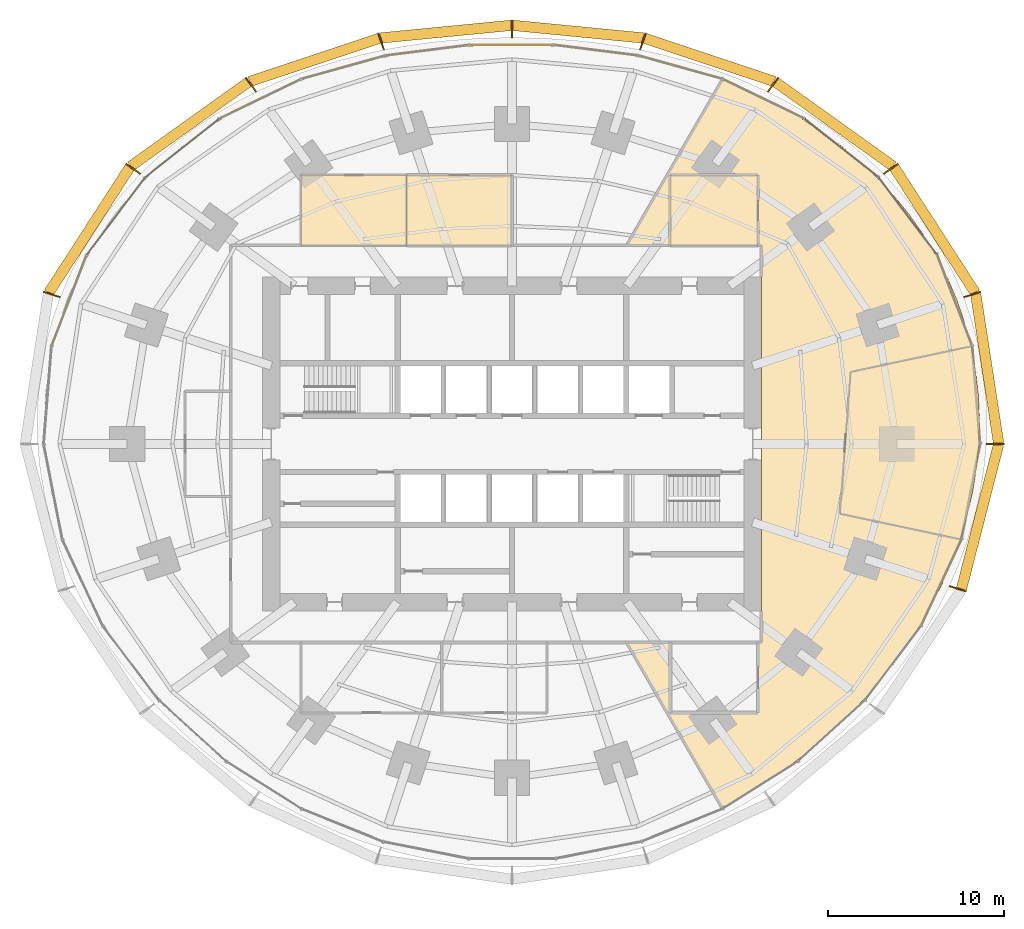
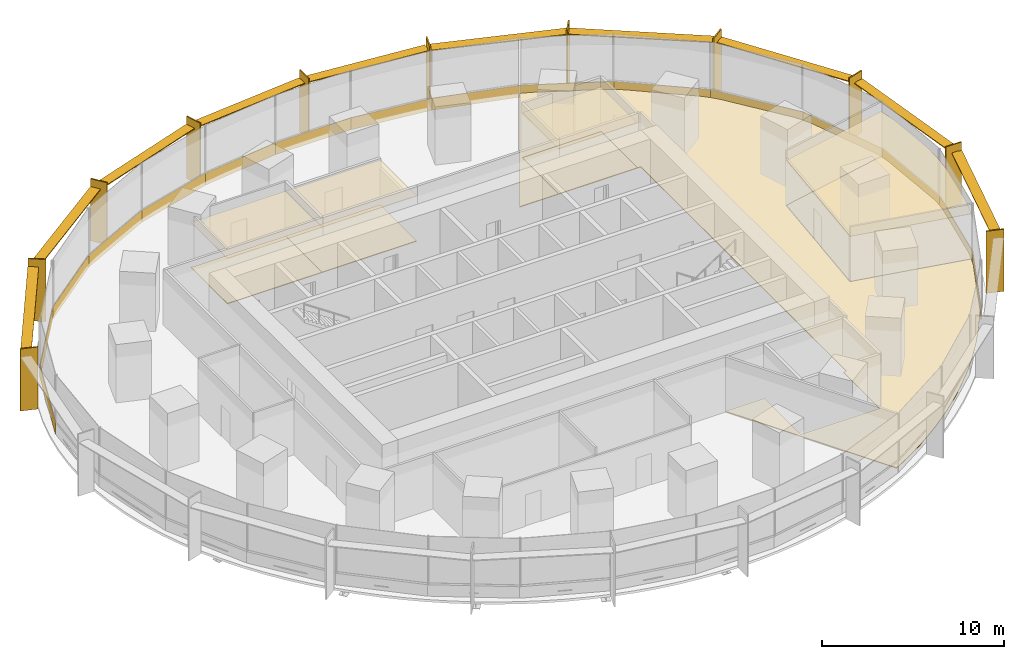
# One storey, part 15 of 15: 25 coverings, 21 shading devices.
"""IFC4 building model written with IfcOpenShell, lengths in metres."""

from ifc_helpers import new_model, si_unit, direction, frame, origin, origin_2d, place, context, subcontext, project, spatial, polyline, rectangle, outline, extrude, material, layer, layer_set, type_object, element, save


model = new_model("IFC4")

# Units and contexts
model_context = context("Model", 3, precision=1e-05, world=origin(), true_north=direction((0.0, 1.0)))
body_context = subcontext(model_context, "Body", "Model", "MODEL_VIEW")
ifc_project = project(units=[si_unit("LENGTHUNIT", "METRE"), si_unit("AREAUNIT", "SQUARE_METRE"), si_unit("VOLUMEUNIT", "CUBIC_METRE"), si_unit("PLANEANGLEUNIT", "RADIAN"), si_unit("MASSUNIT", "GRAM", prefix="KILO")], contexts=[model_context])

# Site, building, storey
site_placement = place(None, origin())
site = spatial("IfcSite", under=ifc_project, at=site_placement, CompositionType="ELEMENT")
building_placement = place(site_placement, origin())
building = spatial("IfcBuilding", under=site, at=building_placement, Name="Marramba Exchange Tower", CompositionType="ELEMENT")
storey_placement = place(building_placement, frame((0.0, 0.0, 82.60009765625)))
storey = spatial("IfcBuildingStorey", under=building, at=storey_placement, Name="L19", CompositionType="ELEMENT", Elevation=82.60009765625)

# Shading devices
ifc_material_1 = material(Name="Aluminium blade, timber-look bronze finish", Category="wood")
ifc_layer_1 = layer(ifc_material_1, 0.080078125)
ifc_layer_set_1 = layer_set([ifc_layer_1], Name="Floor-edge blade 1000x80")
shading_device_type_1 = type_object("IfcShadingDeviceType", Name="Floor-edge blade 1000x80", PredefinedType="USERDEFINED", material=ifc_layer_set_1)
for number, where, z_axis, x_axis, name in (
    (1, (27.5, 0.0, -0.16015625), (0.0, 0.0, 1.0), (1.0, 0.0, 0.0), "Floor-edge blade FB1 L19 TC01"),
    (2, (26.193115234375, 8.5107421875, -0.16015625), (0.0, 0.0, 1.0), (0.951056516295, 0.309016994375, 0.0), "Floor-edge blade FB1 L19 TC02"),
    (3, (21.56298828125, 15.66650390625, -0.16015625), (0.0, 0.0, 1.0), (0.809016994375, 0.587785252292, 0.0), "Floor-edge blade FB1 L19 TC03"),
    (4, (14.857666015625, 20.449951171875, -0.16015625), (0.0, 0.0, 1.0), (0.587785252292, 0.809016994375, 0.0), "Floor-edge blade FB1 L19 TC04"),
    (5, (7.444091796875, 22.910888671875, -0.16015625), (0.0, 0.0, 1.0), (0.309016994375, 0.951056516295, 0.0), "Floor-edge blade FB1 L19 TC05"),
    (6, (0.0, 23.6279296875, -0.16015625), (0.0, 0.0, 1.0), (0.0, 1.0, 0.0), "Floor-edge blade FB1 L19 TC06"),
    (7, (-7.444091796875, 22.910888671875, -0.16015625), (0.0, 0.0, 1.0), (-0.309016994375, 0.951056516295, 0.0), "Floor-edge blade FB1 L19 TC07"),
    (8, (-14.857666015625, 20.449951171875, -0.16015625), (0.0, 0.0, 1.0), (-0.587785252292, 0.809016994375, 0.0), "Floor-edge blade FB1 L19 TC08"),
    (9, (-21.56298828125, 15.66650390625, -0.16015625), (0.0, 0.0, 1.0), (-0.809016994375, 0.587785252292, 0.0), "Floor-edge blade FB1 L19 TC09"),
    (10, (-26.193115234375, 8.5107421875, -0.16015625), (0.0, 0.0, 1.0), (-0.951056516295, 0.309016994375, 0.0), "Floor-edge blade FB1 L19 TC10"),
    (11, (25.3740234375, -8.24462890625, -0.16015625), (0.0, 0.0, 1.0), (0.951056516295, -0.309016994375, 0.0), "Floor-edge blade FB1 L19 TC20"),
):
    element("IfcShadingDevice", number, at=place(storey_placement, frame(where, z_axis=z_axis, x_axis=x_axis)), inside=storey, type_object=shading_device_type_1, Name=name, ObjectType="FIN", PredefinedType="USERDEFINED", context=body_context, shape_type="SweptSolid", body=[
        extrude(rectangle(XDim=1.0, YDim=0.080078125, at=origin_2d()), origin(), (0.0, 0.0, 1.0), 4.159912109375),
    ])

# Coverings
ifc_material_2 = material(Name="Steel raised access floor panels", Category="steel")
ifc_layer_2 = layer(ifc_material_2, 0.050048828125)
ifc_layer_set_2 = layer_set([ifc_layer_2], Name="Raised access floor 300")
covering_type_1 = type_object("IfcCoveringType", Name="Raised access floor 300", PredefinedType="FLOORING", material=ifc_layer_set_2)
covering_1_placement = place(storey_placement, frame((0.0, 0.0, 0.25)))
element("IfcCovering", 12, at=covering_1_placement, inside=storey, type_object=covering_type_1, Name="Raised access floor RAF1 L19 Market Operations Office", PredefinedType="FLOORING", context=body_context, shape_type="SweptSolid", body=[
    extrude(outline(polyline([(14.199951171875, -9.5), (14.199951171875, 9.5), (14.199951171875, 11.300048828125), (14.0, 11.300048828125), (14.0, 15.300048828125), (9.0, 15.300048828125), (9.0, 11.300048828125), (6.524169921875, 11.300048828125), (11.94921875, 20.69677734375), (13.135986328125, 20.2275390625), (14.31103515625, 19.697509765625), (15.4697265625, 19.103759765625), (16.60693359375, 18.44384765625), (17.71630859375, 17.71630859375), (18.791259765625, 16.919677734375), (19.8251953125, 16.05419921875), (20.810791015625, 15.119873046875), (21.740478515625, 14.118408203125), (22.607177734375, 13.05224609375), (23.40380859375, 11.9248046875), (24.12353515625, 10.740478515625), (24.76025390625, 9.50439453125), (25.30859375, 8.22314453125), (25.763916015625, 6.9033203125), (26.123291015625, 5.552734375), (19.276123046875, 4.097412109375), (18.659423828125, -3.96630859375), (25.50634765625, -5.421630859375), (25.033935546875, -6.707763671875), (24.489501953125, -7.95703125), (23.879150390625, -9.166259765625), (23.208251953125, -10.3330078125), (22.482177734375, -11.455322265625), (21.7060546875, -12.531982421875), (20.88427734375, -13.5625), (20.020751953125, -14.5458984375), (19.119384765625, -15.482421875), (18.1826171875, -16.371826171875), (17.213623046875, -17.213623046875), (16.21435546875, -18.0078125), (15.1865234375, -18.75390625), (14.132080078125, -19.451171875), (13.052490234375, -20.09912109375), (11.94921875, -20.69677734375), (6.524169921875, -11.300048828125), (9.0, -11.300048828125), (9.0, -15.300048828125), (14.0, -15.300048828125), (14.0, -11.300048828125), (14.199951171875, -11.300048828125), (14.199951171875, -9.5)])), origin(), (0.0, 0.0, 1.0), 0.0498046875),
])
covering_2_placement = place(storey_placement, frame((0.0, 0.0, 0.25)))
element("IfcCovering", 13, at=covering_2_placement, inside=storey, type_object=covering_type_1, Name="Raised access floor RAF1 L19 Market Control Room", PredefinedType="FLOORING", context=body_context, shape_type="SweptSolid", body=[
    extrude(outline(polyline([(26.2470703125, 4.89990234375), (26.3837890625, 4.1787109375), (26.45703125, 3.54736328125), (26.544921875, 2.7900390625), (26.6064453125, 1.394287109375), (26.570068359375, 0.0), (26.43798828125, -1.385498046875), (26.213623046875, -2.755126953125), (26.025390625, -3.566650390625), (25.9013671875, -4.102294921875), (25.69873046875, -4.779541015625), (25.50634765625, -5.421630859375), (18.659423828125, -3.96630859375), (19.276123046875, 4.097412109375), (26.123291015625, 5.552734375), (26.2470703125, 4.89990234375)])), origin(), (0.0, 0.0, 1.0), 0.0498046875),
])
covering_3_placement = place(storey_placement, frame((0.0, 0.0, 0.25)))
element("IfcCovering", 14, at=covering_3_placement, inside=storey, type_object=covering_type_1, Name="Raised access floor RAF1 L19 Meeting Room 1", PredefinedType="FLOORING", context=body_context, shape_type="SweptSolid", body=[
    extrude(outline(polyline([(14.0, 11.300048828125), (9.0, 11.300048828125), (9.0, 15.300048828125), (14.0, 15.300048828125), (14.0, 11.300048828125)])), origin(), (0.0, 0.0, 1.0), 0.0498046875),
])
covering_4_placement = place(storey_placement, frame((0.0, 0.0, 0.25)))
element("IfcCovering", 15, at=covering_4_placement, inside=storey, type_object=covering_type_1, Name="Raised access floor RAF1 L19 Settlements Office", PredefinedType="FLOORING", context=body_context, shape_type="SweptSolid", body=[
    extrude(outline(polyline([(-6.0, 11.300048828125), (-12.0, 11.300048828125), (-12.0, 15.300048828125), (-6.0, 15.300048828125), (-6.0, 11.300048828125)])), origin(), (0.0, 0.0, 1.0), 0.0498046875),
])
covering_5_placement = place(storey_placement, frame((0.0, 0.0, 0.25)))
element("IfcCovering", 16, at=covering_5_placement, inside=storey, type_object=covering_type_1, Name="Raised access floor RAF1 L19 Meeting Room 2", PredefinedType="FLOORING", context=body_context, shape_type="SweptSolid", body=[
    extrude(outline(polyline([(0.0, 11.300048828125), (-6.0, 11.300048828125), (-6.0, 15.300048828125), (0.0, 15.300048828125), (0.0, 11.300048828125)])), origin(), (0.0, 0.0, 1.0), 0.0498046875),
])

# Shading devices
ifc_material_3 = material(Name="Aluminium sunshade, bronze anodised", Category="aluminium")
ifc_layer_3 = layer(ifc_material_3, 0.06005859375)
ifc_layer_set_3 = layer_set([ifc_layer_3], Name="SUNSHADE blade 600x60")
shading_device_type_2 = type_object("IfcShadingDeviceType", Name="SUNSHADE blade 600x60", PredefinedType="USERDEFINED", material=ifc_layer_set_3)
shading_device_1_placement = place(storey_placement, frame((27.04150390625, 4.2861328125, 3.419921875), z_axis=(0.0, 0.0, 1.0), x_axis=(-0.151825486228, 0.988407315701, 0.0)))
element("IfcShadingDevice", 17, at=shading_device_1_placement, inside=storey, type_object=shading_device_type_2, Name="Sunshade SS1 L19 bay 01", ObjectType="SUNSHADE", PredefinedType="USERDEFINED", context=body_context, shape_type="SweptSolid", body=[
    extrude(rectangle(XDim=8.593017578125, YDim=0.60009765625, at=origin_2d()), origin(), (0.0, 0.0, 1.0), 0.06005859375),
])
shading_device_2_placement = place(storey_placement, frame((24.053955078125, 12.17822265625, 3.419921875), z_axis=(0.0, 0.0, 1.0), x_axis=(-0.542596596948, 0.839993412462, 0.0)))
element("IfcShadingDevice", 18, at=shading_device_2_placement, inside=storey, type_object=shading_device_type_2, Name="Sunshade SS1 L19 bay 02", ObjectType="SUNSHADE", PredefinedType="USERDEFINED", context=body_context, shape_type="SweptSolid", body=[
    extrude(rectangle(XDim=8.50537109375, YDim=0.60009765625, at=origin_2d()), origin(), (0.0, 0.0, 1.0), 0.06005859375),
])
shading_device_3_placement = place(storey_placement, frame((18.35009765625, 18.19775390625, 3.419921875), z_axis=(0.0, 0.0, 1.0), x_axis=(-0.813362978246, 0.581756534659, 0.0)))
element("IfcShadingDevice", 19, at=shading_device_3_placement, inside=storey, type_object=shading_device_type_2, Name="Sunshade SS1 L19 bay 03", ObjectType="SUNSHADE", PredefinedType="USERDEFINED", context=body_context, shape_type="SweptSolid", body=[
    extrude(rectangle(XDim=8.218505859375, YDim=0.60009765625, at=origin_2d()), origin(), (0.0, 0.0, 1.0), 0.06005859375),
])
shading_device_4_placement = place(storey_placement, frame((11.24072265625, 21.8564453125, 3.419921875), z_axis=(0.0, 0.0, 1.0), x_axis=(-0.948697789537, 0.316184288235, 0.0)))
element("IfcShadingDevice", 20, at=shading_device_4_placement, inside=storey, type_object=shading_device_type_2, Name="Sunshade SS1 L19 bay 04", ObjectType="SUNSHADE", PredefinedType="USERDEFINED", context=body_context, shape_type="SweptSolid", body=[
    extrude(rectangle(XDim=7.793212890625, YDim=0.60009765625, at=origin_2d()), origin(), (0.0, 0.0, 1.0), 0.06005859375),
])
for number, where, z_axis, x_axis, name in (
    (21, (3.7529296875, 23.464599609375, 3.419921875), (0.0, 0.0, 1.0), (-0.995342876176, 0.096397919302, 0.0), "Sunshade SS1 L19 bay 05"),
    (22, (-3.7529296875, 23.464599609375, 3.419921875), (0.0, 0.0, 1.0), (-0.995342876176, -0.096397919302, 0.0), "Sunshade SS1 L19 bay 06"),
):
    element("IfcShadingDevice", number, at=place(storey_placement, frame(where, z_axis=z_axis, x_axis=x_axis)), inside=storey, type_object=shading_device_type_2, Name=name, ObjectType="SUNSHADE", PredefinedType="USERDEFINED", context=body_context, shape_type="SweptSolid", body=[
        extrude(rectangle(XDim=7.461181640625, YDim=0.60009765625, at=origin_2d()), origin(), (0.0, 0.0, 1.0), 0.06005859375),
    ])
shading_device_5_placement = place(storey_placement, frame((-11.24072265625, 21.8564453125, 3.419921875), z_axis=(0.0, 0.0, 1.0), x_axis=(-0.948697789537, -0.316184288235, 0.0)))
element("IfcShadingDevice", 23, at=shading_device_5_placement, inside=storey, type_object=shading_device_type_2, Name="Sunshade SS1 L19 bay 07", ObjectType="SUNSHADE", PredefinedType="USERDEFINED", context=body_context, shape_type="SweptSolid", body=[
    extrude(rectangle(XDim=7.793212890625, YDim=0.60009765625, at=origin_2d()), origin(), (0.0, 0.0, 1.0), 0.06005859375),
])
shading_device_6_placement = place(storey_placement, frame((-18.35009765625, 18.19775390625, 3.419921875), z_axis=(0.0, 0.0, 1.0), x_axis=(-0.813362978246, -0.581756534659, 0.0)))
element("IfcShadingDevice", 24, at=shading_device_6_placement, inside=storey, type_object=shading_device_type_2, Name="Sunshade SS1 L19 bay 08", ObjectType="SUNSHADE", PredefinedType="USERDEFINED", context=body_context, shape_type="SweptSolid", body=[
    extrude(rectangle(XDim=8.218505859375, YDim=0.60009765625, at=origin_2d()), origin(), (0.0, 0.0, 1.0), 0.06005859375),
])
shading_device_7_placement = place(storey_placement, frame((-24.053955078125, 12.17822265625, 3.419921875), z_axis=(0.0, 0.0, 1.0), x_axis=(-0.542596596948, -0.839993412462, 0.0)))
element("IfcShadingDevice", 25, at=shading_device_7_placement, inside=storey, type_object=shading_device_type_2, Name="Sunshade SS1 L19 bay 09", ObjectType="SUNSHADE", PredefinedType="USERDEFINED", context=body_context, shape_type="SweptSolid", body=[
    extrude(rectangle(XDim=8.50537109375, YDim=0.60009765625, at=origin_2d()), origin(), (0.0, 0.0, 1.0), 0.06005859375),
])
shading_device_8_placement = place(storey_placement, frame((26.632080078125, -4.153076171875, 3.419921875), z_axis=(0.0, 0.0, 1.0), x_axis=(0.249024641331, 0.968497149201, 0.0)))
element("IfcShadingDevice", 26, at=shading_device_8_placement, inside=storey, type_object=shading_device_type_2, Name="Sunshade SS1 L19 bay 20", ObjectType="SUNSHADE", PredefinedType="USERDEFINED", context=body_context, shape_type="SweptSolid", body=[
    extrude(rectangle(XDim=8.49658203125, YDim=0.60009765625, at=origin_2d()), origin(), (0.0, 0.0, 1.0), 0.06005859375),
])

# Coverings
ifc_material_4 = material(Name="Aluminium spandrel panel, bronze anodised, insulated", Category="aluminium")
ifc_layer_4 = layer(ifc_material_4, 0.050048828125)
ifc_layer_set_4 = layer_set([ifc_layer_4], Name="Spandrel panel 800")
covering_type_2 = type_object("IfcCoveringType", Name="Spandrel panel 800", PredefinedType="CLADDING", material=ifc_layer_set_4)
covering_6_placement = place(storey_placement, frame((26.42578125, 2.78466796875, 0.0), z_axis=(0.0, 0.0, 1.0), x_axis=(-0.080275227657, 0.996772736297, 0.0)))
element("IfcCovering", 27, at=covering_6_placement, inside=storey, type_object=covering_type_2, Name="Spandrel panel SP1 L19 F01", PredefinedType="CLADDING", context=body_context, shape_type="SweptSolid", body=[
    extrude(rectangle(XDim=5.58740234375, YDim=0.050048828125, at=origin_2d()), origin(), (0.0, 0.0, 1.0), 0.800048828125),
])
covering_7_placement = place(storey_placement, frame((25.198974609375, 8.171142578125, 0.0), z_axis=(0.0, 0.0, 1.0), x_axis=(-0.359525512701, 0.933135255854, 0.0)))
element("IfcCovering", 28, at=covering_7_placement, inside=storey, type_object=covering_type_2, Name="Spandrel panel SP1 L19 F02", PredefinedType="CLADDING", context=body_context, shape_type="SweptSolid", body=[
    extrude(rectangle(XDim=5.57666015625, YDim=0.050048828125, at=origin_2d()), origin(), (0.0, 0.0, 1.0), 0.800048828125),
])
covering_8_placement = place(storey_placement, frame((22.535888671875, 12.969970703125, 0.0), z_axis=(0.0, 0.0, 1.0), x_axis=(-0.602989761876, 0.797748924834, 0.0)))
element("IfcCovering", 29, at=covering_8_placement, inside=storey, type_object=covering_type_2, Name="Spandrel panel SP1 L19 F03", PredefinedType="CLADDING", context=body_context, shape_type="SweptSolid", body=[
    extrude(rectangle(XDim=5.5078125, YDim=0.050048828125, at=origin_2d()), origin(), (0.0, 0.0, 1.0), 0.800048828125),
])
covering_9_placement = place(storey_placement, frame((18.767822265625, 16.8349609375, 0.0), z_axis=(0.0, 0.0, 1.0), x_axis=(-0.784087946735, 0.620649733574, 0.0)))
element("IfcCovering", 30, at=covering_9_placement, inside=storey, type_object=covering_type_2, Name="Spandrel panel SP1 L19 F04", PredefinedType="CLADDING", context=body_context, shape_type="SweptSolid", body=[
    extrude(rectangle(XDim=5.375732421875, YDim=0.050048828125, at=origin_2d()), origin(), (0.0, 0.0, 1.0), 0.800048828125),
])
covering_10_placement = place(storey_placement, frame((14.324951171875, 19.634765625, 0.0), z_axis=(0.0, 0.0, 1.0), x_axis=(-0.899963432359, 0.435965389012, 0.0)))
element("IfcCovering", 31, at=covering_10_placement, inside=storey, type_object=covering_type_2, Name="Spandrel panel SP1 L19 F05", PredefinedType="CLADDING", context=body_context, shape_type="SweptSolid", body=[
    extrude(rectangle(XDim=5.1904296875, YDim=0.050048828125, at=origin_2d()), origin(), (0.0, 0.0, 1.0), 0.800048828125),
])
covering_11_placement = place(storey_placement, frame((9.58544921875, 21.434326171875, 0.0), z_axis=(0.0, 0.0, 1.0), x_axis=(-0.963472098411, 0.267808729475, 0.0)))
element("IfcCovering", 32, at=covering_11_placement, inside=storey, type_object=covering_type_2, Name="Spandrel panel SP1 L19 F06", PredefinedType="CLADDING", context=body_context, shape_type="SweptSolid", body=[
    extrude(rectangle(XDim=4.989990234375, YDim=0.050048828125, at=origin_2d()), origin(), (0.0, 0.0, 1.0), 0.800048828125),
])
covering_12_placement = place(storey_placement, frame((4.783935546875, 22.404296875, 0.0), z_axis=(0.0, 0.0, 1.0), x_axis=(-0.992172768222, 0.124872727203, 0.0)))
element("IfcCovering", 33, at=covering_12_placement, inside=storey, type_object=covering_type_2, Name="Spandrel panel SP1 L19 F07", PredefinedType="CLADDING", context=body_context, shape_type="SweptSolid", body=[
    extrude(rectangle(XDim=4.832763671875, YDim=0.050048828125, at=origin_2d()), origin(), (0.0, 0.0, 1.0), 0.800048828125),
])
covering_13_placement = place(storey_placement, frame((0.0, 22.7060546875, 0.0), z_axis=(0.0, 0.0, 1.0), x_axis=(-1.0, 0.0, 0.0)))
element("IfcCovering", 34, at=covering_13_placement, inside=storey, type_object=covering_type_2, Name="Spandrel panel SP1 L19 F08", PredefinedType="CLADDING", context=body_context, shape_type="SweptSolid", body=[
    extrude(rectangle(XDim=4.77294921875, YDim=0.050048828125, at=origin_2d()), origin(), (0.0, 0.0, 1.0), 0.800048828125),
])
covering_14_placement = place(storey_placement, frame((-4.783935546875, 22.404296875, 0.0), z_axis=(0.0, 0.0, 1.0), x_axis=(-0.992172768222, -0.124872727203, 0.0)))
element("IfcCovering", 35, at=covering_14_placement, inside=storey, type_object=covering_type_2, Name="Spandrel panel SP1 L19 F09", PredefinedType="CLADDING", context=body_context, shape_type="SweptSolid", body=[
    extrude(rectangle(XDim=4.832763671875, YDim=0.050048828125, at=origin_2d()), origin(), (0.0, 0.0, 1.0), 0.800048828125),
])
covering_15_placement = place(storey_placement, frame((-9.58544921875, 21.434326171875, 0.0), z_axis=(0.0, 0.0, 1.0), x_axis=(-0.963472098411, -0.267808729475, 0.0)))
element("IfcCovering", 36, at=covering_15_placement, inside=storey, type_object=covering_type_2, Name="Spandrel panel SP1 L19 F10", PredefinedType="CLADDING", context=body_context, shape_type="SweptSolid", body=[
    extrude(rectangle(XDim=4.989990234375, YDim=0.050048828125, at=origin_2d()), origin(), (0.0, 0.0, 1.0), 0.800048828125),
])
covering_16_placement = place(storey_placement, frame((-14.324951171875, 19.634765625, 0.0), z_axis=(0.0, 0.0, 1.0), x_axis=(-0.899963432359, -0.435965389012, 0.0)))
element("IfcCovering", 37, at=covering_16_placement, inside=storey, type_object=covering_type_2, Name="Spandrel panel SP1 L19 F11", PredefinedType="CLADDING", context=body_context, shape_type="SweptSolid", body=[
    extrude(rectangle(XDim=5.1904296875, YDim=0.050048828125, at=origin_2d()), origin(), (0.0, 0.0, 1.0), 0.800048828125),
])
covering_17_placement = place(storey_placement, frame((-18.767822265625, 16.8349609375, 0.0), z_axis=(0.0, 0.0, 1.0), x_axis=(-0.784087946735, -0.620649733574, 0.0)))
element("IfcCovering", 38, at=covering_17_placement, inside=storey, type_object=covering_type_2, Name="Spandrel panel SP1 L19 F12", PredefinedType="CLADDING", context=body_context, shape_type="SweptSolid", body=[
    extrude(rectangle(XDim=5.375732421875, YDim=0.050048828125, at=origin_2d()), origin(), (0.0, 0.0, 1.0), 0.800048828125),
])
covering_18_placement = place(storey_placement, frame((-22.535888671875, 12.969970703125, 0.0), z_axis=(0.0, 0.0, 1.0), x_axis=(-0.602989761876, -0.797748924834, 0.0)))
element("IfcCovering", 39, at=covering_18_placement, inside=storey, type_object=covering_type_2, Name="Spandrel panel SP1 L19 F13", PredefinedType="CLADDING", context=body_context, shape_type="SweptSolid", body=[
    extrude(rectangle(XDim=5.5078125, YDim=0.050048828125, at=origin_2d()), origin(), (0.0, 0.0, 1.0), 0.800048828125),
])
covering_19_placement = place(storey_placement, frame((-25.198974609375, 8.171142578125, 0.0), z_axis=(0.0, 0.0, 1.0), x_axis=(-0.359525512701, -0.933135255854, 0.0)))
element("IfcCovering", 40, at=covering_19_placement, inside=storey, type_object=covering_type_2, Name="Spandrel panel SP1 L19 F14", PredefinedType="CLADDING", context=body_context, shape_type="SweptSolid", body=[
    extrude(rectangle(XDim=5.57666015625, YDim=0.050048828125, at=origin_2d()), origin(), (0.0, 0.0, 1.0), 0.800048828125),
])
covering_20_placement = place(storey_placement, frame((24.432861328125, -7.90185546875, 0.0), z_axis=(0.0, 0.0, 1.0), x_axis=(0.423477213559, 0.905906755464, 0.0)))
element("IfcCovering", 41, at=covering_20_placement, inside=storey, type_object=covering_type_2, Name="Spandrel panel SP1 L19 F29", PredefinedType="CLADDING", context=body_context, shape_type="SweptSolid", body=[
    extrude(rectangle(XDim=5.439208984375, YDim=0.050048828125, at=origin_2d()), origin(), (0.0, 0.0, 1.0), 0.800048828125),
])
covering_21_placement = place(storey_placement, frame((26.117431640625, -2.718994140625, 0.0), z_axis=(0.0, 0.0, 1.0), x_axis=(0.19224858127, 0.981346260501, 0.0)))
element("IfcCovering", 42, at=covering_21_placement, inside=storey, type_object=covering_type_2, Name="Spandrel panel SP1 L19 F30", PredefinedType="CLADDING", context=body_context, shape_type="SweptSolid", body=[
    extrude(rectangle(XDim=5.54150390625, YDim=0.050048828125, at=origin_2d()), origin(), (0.0, 0.0, 1.0), 0.800048828125),
])
ifc_material_5 = material(Name="Mineral fibre ceiling tiles", Category="gypsum")
ifc_layer_5 = layer(ifc_material_5, 0.02001953125)
ifc_layer_set_5 = layer_set([ifc_layer_5], Name="Suspended ceiling 20")
covering_type_3 = type_object("IfcCoveringType", Name="Suspended ceiling 20", PredefinedType="CEILING", material=ifc_layer_set_5)
covering_22_placement = place(storey_placement, frame((0.0, 0.0, 3.2998046875)))
element("IfcCovering", 43, at=covering_22_placement, inside=storey, type_object=covering_type_3, Name="Ceiling CL1 L19 Market Control Room", PredefinedType="CEILING", context=body_context, shape_type="SweptSolid", body=[
    extrude(outline(polyline([(26.2470703125, 4.89990234375), (26.3837890625, 4.1787109375), (26.45703125, 3.54736328125), (26.544921875, 2.7900390625), (26.6064453125, 1.394287109375), (26.570068359375, 0.0), (26.43798828125, -1.385498046875), (26.213623046875, -2.755126953125), (26.025390625, -3.566650390625), (25.9013671875, -4.102294921875), (25.69873046875, -4.779541015625), (25.50634765625, -5.421630859375), (18.659423828125, -3.96630859375), (19.276123046875, 4.097412109375), (26.123291015625, 5.552734375), (26.2470703125, 4.89990234375)])), origin(), (0.0, 0.0, 1.0), 0.02001953125),
])
covering_23_placement = place(storey_placement, frame((0.0, 0.0, 3.2998046875)))
element("IfcCovering", 44, at=covering_23_placement, inside=storey, type_object=covering_type_3, Name="Ceiling CL1 L19 Meeting Room 1", PredefinedType="CEILING", context=body_context, shape_type="SweptSolid", body=[
    extrude(outline(polyline([(14.0, 11.300048828125), (9.0, 11.300048828125), (9.0, 15.300048828125), (14.0, 15.300048828125), (14.0, 11.300048828125)])), origin(), (0.0, 0.0, 1.0), 0.02001953125),
])
covering_24_placement = place(storey_placement, frame((0.0, 0.0, 3.2998046875)))
element("IfcCovering", 45, at=covering_24_placement, inside=storey, type_object=covering_type_3, Name="Ceiling CL1 L19 Settlements Office", PredefinedType="CEILING", context=body_context, shape_type="SweptSolid", body=[
    extrude(outline(polyline([(-6.0, 11.300048828125), (-12.0, 11.300048828125), (-12.0, 15.300048828125), (-6.0, 15.300048828125), (-6.0, 11.300048828125)])), origin(), (0.0, 0.0, 1.0), 0.02001953125),
])
covering_25_placement = place(storey_placement, frame((0.0, 0.0, 3.2998046875)))
element("IfcCovering", 46, at=covering_25_placement, inside=storey, type_object=covering_type_3, Name="Ceiling CL1 L19 Meeting Room 2", PredefinedType="CEILING", context=body_context, shape_type="SweptSolid", body=[
    extrude(outline(polyline([(0.0, 11.300048828125), (-6.0, 11.300048828125), (-6.0, 15.300048828125), (0.0, 15.300048828125), (0.0, 11.300048828125)])), origin(), (0.0, 0.0, 1.0), 0.02001953125),
])

save(model, "model.ifc")
